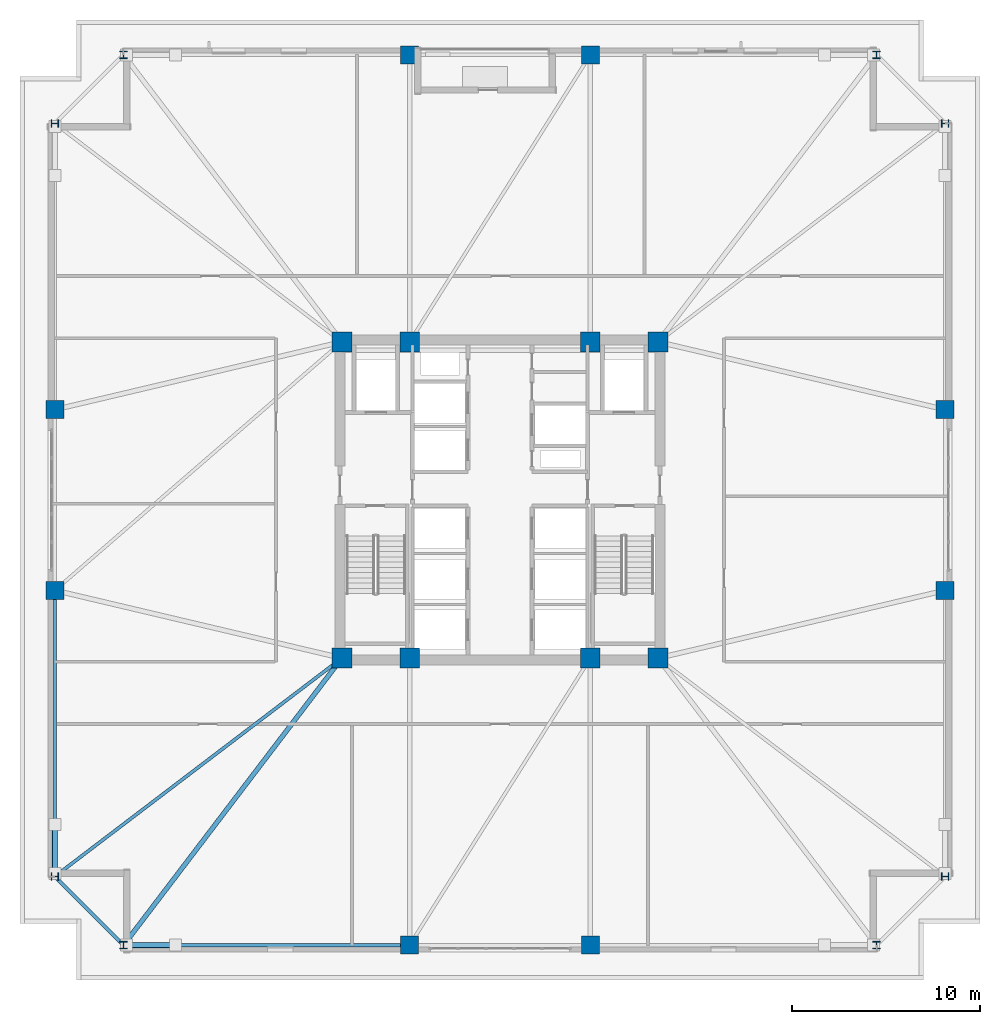
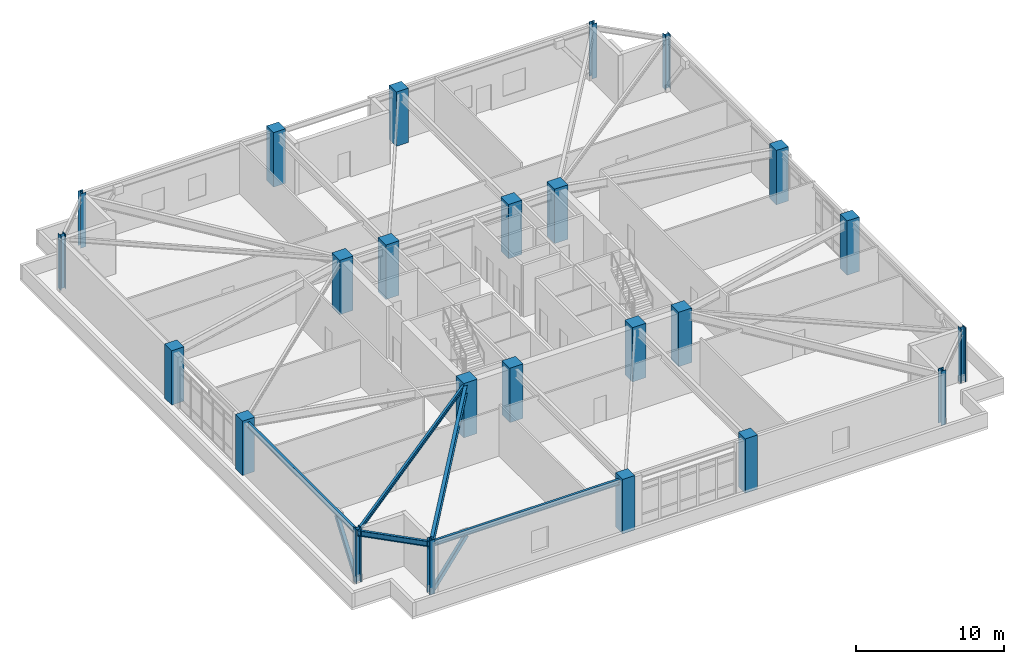
# One storey, part 1 of 13: 24 columns, 5 beams, 2 members.
"""IFC4 building model written with IfcOpenShell, lengths in metres."""

from ifc_helpers import new_model, si_unit, direction, frame, origin, origin_2d, place, context, subcontext, project, spatial, rectangle, hollow_rectangle, i_section, extrude, material, material_profile, profile_set, type_object, element, save


model = new_model("IFC4")

# Units and contexts
model_context = context("Model", 3, precision=1e-05, world=origin(), true_north=direction((0.0, 1.0)))
body_context = subcontext(model_context, "Body", "Model", "MODEL_VIEW")
ifc_project = project(units=[si_unit("LENGTHUNIT", "METRE"), si_unit("AREAUNIT", "SQUARE_METRE"), si_unit("VOLUMEUNIT", "CUBIC_METRE"), si_unit("PLANEANGLEUNIT", "RADIAN"), si_unit("MASSUNIT", "GRAM", prefix="KILO")], contexts=[model_context])

# Site, building, storey
site_placement = place(None, origin())
site = spatial("IfcSite", under=ifc_project, at=site_placement, CompositionType="ELEMENT")
building_placement = place(site_placement, origin())
building = spatial("IfcBuilding", under=site, at=building_placement, Name="Cairnveth Concourse Tower", CompositionType="ELEMENT")
storey_placement = place(building_placement, frame((0.0, 0.0, 101.5)))
storey = spatial("IfcBuildingStorey", under=building, at=storey_placement, Name="L27", CompositionType="ELEMENT", Elevation=101.5)

# Columns
ifc_material_1 = material(Name="Concrete N65 (65 MPa)", Category="concrete")
ifc_material_profile_1 = material_profile(ifc_material_1, rectangle(XDim=1.050048828125, YDim=1.050048828125, at=origin_2d()), Name="RC-COL-1050x1050")
ifc_profile_set_1 = profile_set([ifc_material_profile_1], Name="Concrete N65 (65 MPa)")
column_type_1 = type_object("IfcColumnType", Name="CORE COLUMN 1050X1050", PredefinedType="COLUMN", material=ifc_profile_set_1)
for number, where, z_axis, x_axis, name in (
    (1, (43.60009765625, 30.60009765625, 0.0), (0.0, 0.0, 1.0), (1.0, 0.0, 0.0), "Column CC1 L27"),
    (2, (47.199951171875, 30.60009765625, 0.0), (0.0, 0.0, 1.0), (1.0, 0.0, 0.0), "Column CC2 L27"),
    (3, (56.800048828125, 30.60009765625, 0.0), (0.0, 0.0, 1.0), (1.0, 0.0, 0.0), "Column CC3 L27"),
    (4, (60.39990234375, 30.60009765625, 0.0), (0.0, 0.0, 1.0), (1.0, 0.0, 0.0), "Column CC4 L27"),
    (5, (43.60009765625, 47.39990234375, 0.0), (0.0, 0.0, 1.0), (1.0, 0.0, 0.0), "Column CC5 L27"),
    (6, (47.199951171875, 47.39990234375, 0.0), (0.0, 0.0, 1.0), (1.0, 0.0, 0.0), "Column CC6 L27"),
    (7, (56.800048828125, 47.39990234375, 0.0), (0.0, 0.0, 1.0), (1.0, 0.0, 0.0), "Column CC7 L27"),
    (8, (60.39990234375, 47.39990234375, 0.0), (0.0, 0.0, 1.0), (1.0, 0.0, 0.0), "Column CC8 L27"),
):
    element("IfcColumn", number, at=place(storey_placement, frame(where, z_axis=z_axis, x_axis=x_axis)), inside=storey, type_object=column_type_1, Name=name, PredefinedType="COLUMN", context=body_context, shape_type="SweptSolid", body=[
        extrude(rectangle(XDim=1.050048828125, YDim=1.050048828125, at=origin_2d()), origin(), (0.0, 0.0, 1.0), 4.5),
    ])
ifc_material_profile_2 = material_profile(ifc_material_1, rectangle(XDim=0.949951171875, YDim=0.949951171875, at=origin_2d()), Name="RC-COL-950x950")
ifc_profile_set_2 = profile_set([ifc_material_profile_2], Name="Concrete N65 (65 MPa)")
column_type_2 = type_object("IfcColumnType", Name="PERIMETER PIER COLUMN 950X950", PredefinedType="COLUMN", material=ifc_profile_set_2)
for number, where, z_axis, x_axis, name in (
    (9, (47.199951171875, 15.35009765625, 0.0), (0.0, 0.0, 1.0), (1.0, 0.0, 0.0), "Column P-S2 L27"),
    (10, (56.800048828125, 15.35009765625, 0.0), (0.0, 0.0, 1.0), (1.0, 0.0, 0.0), "Column P-S3 L27"),
    (11, (75.64990234375, 34.199951171875, 0.0), (0.0, 0.0, 1.0), (0.0, 1.0, 0.0), "Column P-E2 L27"),
    (12, (75.64990234375, 43.800048828125, 0.0), (0.0, 0.0, 1.0), (0.0, 1.0, 0.0), "Column P-E3 L27"),
    (13, (56.800048828125, 62.64990234375, 0.0), (0.0, 0.0, 1.0), (1.0, 0.0, 0.0), "Column P-N2 L27"),
    (14, (47.199951171875, 62.64990234375, 0.0), (0.0, 0.0, 1.0), (1.0, 0.0, 0.0), "Column P-N3 L27"),
    (15, (28.35009765625, 43.800048828125, 0.0), (0.0, 0.0, 1.0), (0.0, 1.0, 0.0), "Column P-W2 L27"),
    (16, (28.35009765625, 34.199951171875, 0.0), (0.0, 0.0, 1.0), (0.0, 1.0, 0.0), "Column P-W3 L27"),
):
    element("IfcColumn", number, at=place(storey_placement, frame(where, z_axis=z_axis, x_axis=x_axis)), inside=storey, type_object=column_type_2, Name=name, PredefinedType="COLUMN", context=body_context, shape_type="SweptSolid", body=[
        extrude(rectangle(XDim=0.949951171875, YDim=0.949951171875, at=origin_2d()), origin(), (0.0, 0.0, 1.0), 4.5),
    ])
ifc_material_2 = material(Name="Steel Grade 350", Category="steel")
ifc_material_profile_3 = material_profile(ifc_material_2, i_section(OverallWidth=0.39990234375, OverallDepth=0.39990234375, WebThickness=0.02197265625, FlangeThickness=0.035888671875, at=origin_2d()), Name="400WC270")
ifc_profile_set_3 = profile_set([ifc_material_profile_3], Name="Steel Grade 350")
column_type_3 = type_object("IfcColumnType", Name="WELDED STEEL COLUMN 400WC270", PredefinedType="COLUMN", material=ifc_profile_set_3)
for number, where, z_axis, x_axis, name in (
    (17, (32.0, 15.35009765625, 0.0), (0.0, 0.0, 1.0), (1.0, 0.0, 0.0), "Column P-S1 L27"),
    (18, (72.0, 15.35009765625, 0.0), (0.0, 0.0, 1.0), (1.0, 0.0, 0.0), "Column P-S4 L27"),
    (19, (75.64990234375, 19.0, 0.0), (0.0, 0.0, 1.0), (0.0, 1.0, 0.0), "Column P-E1 L27"),
    (20, (75.64990234375, 59.0, 0.0), (0.0, 0.0, 1.0), (0.0, 1.0, 0.0), "Column P-E4 L27"),
    (21, (72.0, 62.64990234375, 0.0), (0.0, 0.0, 1.0), (1.0, 0.0, 0.0), "Column P-N1 L27"),
    (22, (32.0, 62.64990234375, 0.0), (0.0, 0.0, 1.0), (1.0, 0.0, 0.0), "Column P-N4 L27"),
    (23, (28.35009765625, 59.0, 0.0), (0.0, 0.0, 1.0), (0.0, 1.0, 0.0), "Column P-W1 L27"),
    (24, (28.35009765625, 19.0, 0.0), (0.0, 0.0, 1.0), (0.0, 1.0, 0.0), "Column P-W4 L27"),
):
    element("IfcColumn", number, at=place(storey_placement, frame(where, z_axis=z_axis, x_axis=x_axis)), inside=storey, type_object=column_type_3, Name=name, PredefinedType="COLUMN", context=body_context, shape_type="SweptSolid", body=[
        extrude(i_section(OverallWidth=0.39990234375, OverallDepth=0.39990234375, WebThickness=0.02197265625, FlangeThickness=0.035888671875, at=origin_2d()), origin(), (0.0, 0.0, 1.0), 4.5),
    ])

# Beam
ifc_material_profile_4 = material_profile(ifc_material_2, i_section(OverallWidth=0.172119140625, OverallDepth=0.35888671875, WebThickness=0.008056640625, FlangeThickness=0.012939453125, FilletRadius=0.010986328125, at=origin_2d()), Name="360UB56.7")
ifc_profile_set_4 = profile_set([ifc_material_profile_4], Name="Steel Grade 350")
beam_type_1 = type_object("IfcBeamType", Name="ZONE 2 FLOOR JOIST 360UB56.7", PredefinedType="JOIST", material=ifc_profile_set_4)
beam_1_placement = place(storey_placement, frame((28.35009765625, 19.0, 4.1005859375), z_axis=(0.795908242904, 0.6054172684, 0.0), x_axis=(-0.6054172684, 0.795908242904, 0.0)))
element("IfcBeam", 25, at=beam_1_placement, inside=storey, type_object=beam_type_1, Name="Beam FJ-CSW2 L27", PredefinedType="JOIST", context=body_context, shape_type="SweptSolid", body=[
    extrude(i_section(OverallWidth=0.172119140625, OverallDepth=0.35888671875, WebThickness=0.008056640625, FlangeThickness=0.012939453125, FilletRadius=0.010986328125, at=origin_2d()), origin(), (0.0, 0.0, 1.0), 19.160400390625),
])

# Members
ifc_material_3 = material(Name="Steel C350L0 (350 MPa)", Category="steel")
ifc_material_profile_5 = material_profile(ifc_material_3, hollow_rectangle(XDim=0.300048828125, YDim=0.300048828125, WallThickness=0.01611328125, InnerFilletRadius=0.01611328125, OuterFilletRadius=0.031982421875, at=origin_2d()), Name="300x300x16.0SHS")
ifc_profile_set_5 = profile_set([ifc_material_profile_5], Name="Steel C350L0 (350 MPa)")
member_type = type_object("IfcMemberType", Name="ZONE 2 PIER BRACE 300X300X16SHS", PredefinedType="BRACE", material=ifc_profile_set_5)
for number, where, z_axis, x_axis, name in (
    (26, (32.14990234375, 15.35009765625, 0.25), (0.587640077388, 0.0, 0.809122450218), (0.0, 1.0, 0.0), "Structural Brace PB-S1 L27"),
    (27, (28.35009765625, 19.14990234375, 0.25), (0.0, 0.587640077388, 0.809122450218), (-1.0, 0.0, 0.0), "Structural Brace PB-W1 L27"),
):
    element("IfcMember", number, at=place(storey_placement, frame(where, z_axis=z_axis, x_axis=x_axis)), inside=storey, type_object=member_type, Name=name, PredefinedType="BRACE", context=body_context, shape_type="SweptSolid", body=[
        extrude(hollow_rectangle(XDim=0.300048828125, YDim=0.300048828125, WallThickness=0.01611328125, InnerFilletRadius=0.01611328125, OuterFilletRadius=0.031982421875, at=origin_2d()), origin(), (0.0, 0.0, 1.0), 4.424560546875),
    ])

# Beams
ifc_material_profile_6 = material_profile(ifc_material_2, i_section(OverallWidth=0.25, OverallDepth=0.699951171875, WebThickness=0.011962890625, FlangeThickness=0.028076171875, at=origin_2d()), Name="700WB173")
ifc_profile_set_6 = profile_set([ifc_material_profile_6], Name="Steel Grade 350")
beam_type_2 = type_object("IfcBeamType", Name="ZONE 2 RADIAL GIRDER 700WB173", PredefinedType="BEAM", material=ifc_profile_set_6)
beam_2_placement = place(storey_placement, frame((32.0, 15.35009765625, 3.929931640625), z_axis=(0.6054172684, 0.795908242904, 0.0), x_axis=(-0.795908242904, 0.6054172684, 0.0)))
element("IfcBeam", 28, at=beam_2_placement, inside=storey, type_object=beam_type_2, Name="Beam RG-CSW L27", PredefinedType="BEAM", context=body_context, shape_type="SweptSolid", body=[
    extrude(i_section(OverallWidth=0.25, OverallDepth=0.699951171875, WebThickness=0.011962890625, FlangeThickness=0.028076171875, at=origin_2d()), origin(), (0.0, 0.0, 1.0), 19.160400390625),
])
ifc_material_profile_7 = material_profile(ifc_material_2, i_section(OverallWidth=0.18994140625, OverallDepth=0.45703125, WebThickness=0.009033203125, FlangeThickness=0.014404296875, FilletRadius=0.010986328125, at=origin_2d()), Name="460UB74.6")
ifc_profile_set_7 = profile_set([ifc_material_profile_7], Name="Steel Grade 350")
beam_type_3 = type_object("IfcBeamType", Name="ZONE 2 SPANDREL BEAM 460UB74.6", PredefinedType="SPANDREL", material=ifc_profile_set_7)
for number, where, z_axis, x_axis, name in (
    (29, (32.0, 15.35009765625, 4.051513671875), (1.0, 0.0, 0.0), (0.0, 1.0, 0.0), "Beam SP-S1 L27"),
    (30, (28.35009765625, 19.0, 4.051513671875), (0.0, 1.0, 0.0), (-1.0, 0.0, 0.0), "Beam SP-W1 L27"),
):
    element("IfcBeam", number, at=place(storey_placement, frame(where, z_axis=z_axis, x_axis=x_axis)), inside=storey, type_object=beam_type_3, Name=name, PredefinedType="SPANDREL", context=body_context, shape_type="SweptSolid", body=[
        extrude(i_section(OverallWidth=0.18994140625, OverallDepth=0.45703125, WebThickness=0.009033203125, FlangeThickness=0.014404296875, FilletRadius=0.010986328125, at=origin_2d()), origin(), (0.0, 0.0, 1.0), 15.199951171875),
    ])
beam_3_placement = place(storey_placement, frame((28.35009765625, 19.0, 4.051513671875), z_axis=(0.707106781187, -0.707106781187, 0.0), x_axis=(0.707106781187, 0.707106781187, 0.0)))
element("IfcBeam", 31, at=beam_3_placement, inside=storey, type_object=beam_type_3, Name="Beam SP-SW L27", PredefinedType="SPANDREL", context=body_context, shape_type="SweptSolid", body=[
    extrude(i_section(OverallWidth=0.18994140625, OverallDepth=0.45703125, WebThickness=0.009033203125, FlangeThickness=0.014404296875, FilletRadius=0.010986328125, at=origin_2d()), origin(), (0.0, 0.0, 1.0), 5.16162109375),
])

save(model, "model.ifc")
